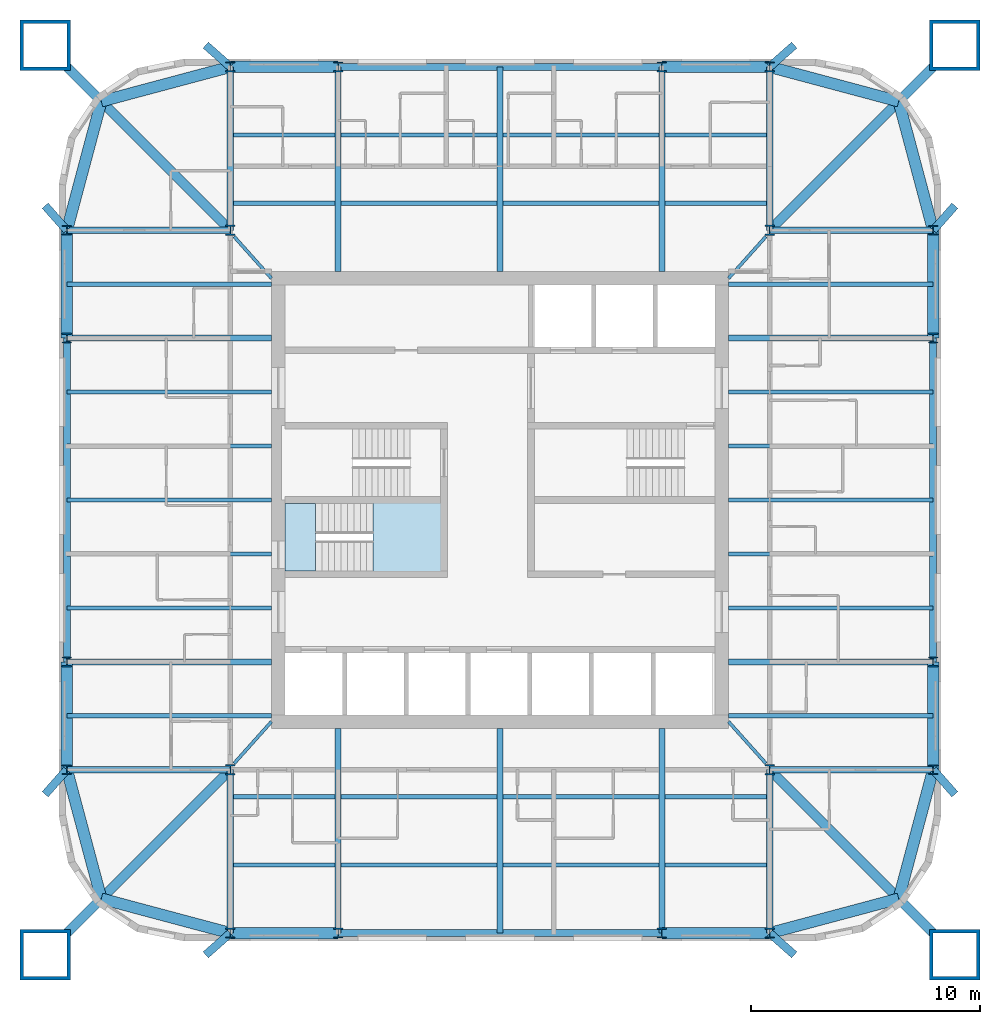
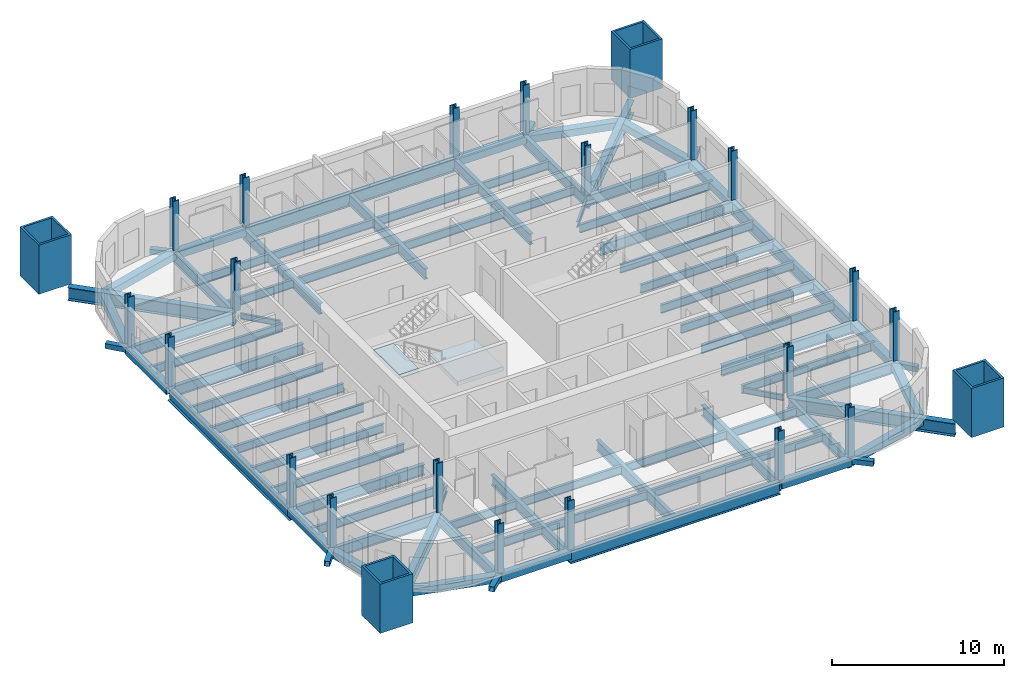
# One storey, part 1 of 9: 84 beams, 24 columns, 2 slabs, 1 element without a shape of its own.
"""IFC4 building model written with IfcOpenShell, lengths in metres."""

from ifc_helpers import new_model, si_unit, direction, frame, origin, origin_2d, place, context, subcontext, project, spatial, polyline, hollow_rectangle, i_section, outline, extrude, material, layer, layer_set, material_profile, profile_set, type_object, element, aggregate, save


model = new_model("IFC4")

# Units and contexts
model_context = context("Model", 3, precision=1e-05, world=origin(), true_north=direction((0.0, 1.0)))
body_context = subcontext(model_context, "Body", "Model", "MODEL_VIEW")
ifc_project = project(units=[si_unit("LENGTHUNIT", "METRE"), si_unit("AREAUNIT", "SQUARE_METRE"), si_unit("VOLUMEUNIT", "CUBIC_METRE"), si_unit("PLANEANGLEUNIT", "RADIAN"), si_unit("MASSUNIT", "GRAM", prefix="KILO")], contexts=[model_context])

# Site, building, storey
site_placement = place(None, origin())
site = spatial("IfcSite", under=ifc_project, at=site_placement, CompositionType="ELEMENT")
building_placement = place(site_placement, origin())
building = spatial("IfcBuilding", under=site, at=building_placement, Name="Turquesa Mirador Hotel Tower", CompositionType="ELEMENT")
storey_placement = place(building_placement, frame((0.0, 0.0, 172.300048828125)))
storey = spatial("IfcBuildingStorey", under=building, at=storey_placement, Name="L46", CompositionType="ELEMENT", Elevation=172.300048828125)

# Columns
ifc_material_1 = material(Name="Steel ASTM A992 Grade 50", Category="steel")
ifc_material_profile_1 = material_profile(ifc_material_1, i_section(OverallWidth=0.411376953125, OverallDepth=0.434326171875, WebThickness=0.035888671875, FlangeThickness=0.057373046875, at=origin_2d()), Name="W14X311")
ifc_profile_set_1 = profile_set([ifc_material_profile_1], Name="Steel ASTM A992 Grade 50")
column_type_1 = type_object("IfcColumnType", Name="COLUMN W14X311", PredefinedType="COLUMN", material=ifc_profile_set_1)
for number, where, z_axis, x_axis, name in (
    (1, (36.050048828125, 33.199951171875, 0.0), (0.0, 0.0, 1.0), (1.0, 0.0, 0.0), "COL-L46-P--18.95--11.80"),
    (2, (36.050048828125, 37.919921875, 0.0), (0.0, 0.0, 1.0), (1.0, 0.0, 0.0), "COL-L46-P--18.95--7.08"),
    (3, (36.050048828125, 52.080078125, 0.0), (0.0, 0.0, 1.0), (1.0, 0.0, 0.0), "COL-L46-P--18.95-+7.08"),
    (4, (36.050048828125, 56.800048828125, 0.0), (0.0, 0.0, 1.0), (1.0, 0.0, 0.0), "COL-L46-P--18.95-+11.80"),
    (5, (43.199951171875, 26.050048828125, 0.0), (0.0, 0.0, 1.0), (1.0, 0.0, 0.0), "COL-L46-P--11.80--18.95"),
    (6, (43.199951171875, 63.949951171875, 0.0), (0.0, 0.0, 1.0), (1.0, 0.0, 0.0), "COL-L46-P--11.80-+18.95"),
    (7, (47.919921875, 26.050048828125, 0.0), (0.0, 0.0, 1.0), (1.0, 0.0, 0.0), "COL-L46-P--7.08--18.95"),
    (8, (47.919921875, 63.949951171875, 0.0), (0.0, 0.0, 1.0), (1.0, 0.0, 0.0), "COL-L46-P--7.08-+18.95"),
    (9, (62.080078125, 26.050048828125, 0.0), (0.0, 0.0, 1.0), (1.0, 0.0, 0.0), "COL-L46-P-+7.08--18.95"),
    (10, (62.080078125, 63.949951171875, 0.0), (0.0, 0.0, 1.0), (1.0, 0.0, 0.0), "COL-L46-P-+7.08-+18.95"),
    (11, (66.800048828125, 26.050048828125, 0.0), (0.0, 0.0, 1.0), (1.0, 0.0, 0.0), "COL-L46-P-+11.80--18.95"),
    (12, (66.800048828125, 63.949951171875, 0.0), (0.0, 0.0, 1.0), (1.0, 0.0, 0.0), "COL-L46-P-+11.80-+18.95"),
    (13, (73.949951171875, 33.199951171875, 0.0), (0.0, 0.0, 1.0), (1.0, 0.0, 0.0), "COL-L46-P-+18.95--11.80"),
    (14, (73.949951171875, 37.919921875, 0.0), (0.0, 0.0, 1.0), (1.0, 0.0, 0.0), "COL-L46-P-+18.95--7.08"),
    (15, (73.949951171875, 52.080078125, 0.0), (0.0, 0.0, 1.0), (1.0, 0.0, 0.0), "COL-L46-P-+18.95-+7.08"),
    (16, (73.949951171875, 56.800048828125, 0.0), (0.0, 0.0, 1.0), (1.0, 0.0, 0.0), "COL-L46-P-+18.95-+11.80"),
):
    element("IfcColumn", number, at=place(storey_placement, frame(where, z_axis=z_axis, x_axis=x_axis)), inside=storey, type_object=column_type_1, Name=name, PredefinedType="COLUMN", context=body_context, shape_type="SweptSolid", body=[
        extrude(i_section(OverallWidth=0.411376953125, OverallDepth=0.434326171875, WebThickness=0.035888671875, FlangeThickness=0.057373046875, at=origin_2d()), origin(), (0.0, 0.0, 1.0), 3.5),
    ])
ifc_material_2 = material(Name="Steel ASTM A992 Grade 50", Category="steel")
ifc_material_profile_2 = material_profile(ifc_material_2, i_section(OverallWidth=0.421630859375, OverallDepth=0.46484375, WebThickness=0.044921875, FlangeThickness=0.072509765625, at=origin_2d()), Name="W14X398")
ifc_profile_set_2 = profile_set([ifc_material_profile_2], Name="Steel ASTM A992 Grade 50")
column_type_2 = type_object("IfcColumnType", Name="COLUMN W14X398", PredefinedType="COLUMN", material=ifc_profile_set_2)
for number, where, z_axis, x_axis, name in (
    (17, (43.199951171875, 33.199951171875, 0.0), (0.0, 0.0, 1.0), (1.0, 0.0, 0.0), "COL-L46-K--11.80--11.80"),
    (18, (43.199951171875, 56.800048828125, 0.0), (0.0, 0.0, 1.0), (1.0, 0.0, 0.0), "COL-L46-K--11.80-+11.80"),
    (19, (66.800048828125, 33.199951171875, 0.0), (0.0, 0.0, 1.0), (1.0, 0.0, 0.0), "COL-L46-K-+11.80--11.80"),
    (20, (66.800048828125, 56.800048828125, 0.0), (0.0, 0.0, 1.0), (1.0, 0.0, 0.0), "COL-L46-K-+11.80-+11.80"),
):
    element("IfcColumn", number, at=place(storey_placement, frame(where, z_axis=z_axis, x_axis=x_axis)), inside=storey, type_object=column_type_2, Name=name, PredefinedType="COLUMN", context=body_context, shape_type="SweptSolid", body=[
        extrude(i_section(OverallWidth=0.421630859375, OverallDepth=0.46484375, WebThickness=0.044921875, FlangeThickness=0.072509765625, at=origin_2d()), origin(), (0.0, 0.0, 1.0), 3.5),
    ])
ifc_material_3 = material(Name="Steel ASTM A514 Grade Q", Category="steel")
ifc_material_profile_3 = material_profile(ifc_material_3, hollow_rectangle(XDim=2.199951171875, YDim=2.199951171875, WallThickness=0.14990234375, at=origin_2d()), Name="BOX2200X2200X150")
ifc_profile_set_3 = profile_set([ifc_material_profile_3], Name="Steel ASTM A514 Grade Q")
column_type_3 = type_object("IfcColumnType", Name="MEGA COLUMN BOX2200X2200X150", PredefinedType="COLUMN", material=ifc_profile_set_3)
for number, where, z_axis, x_axis, name in (
    (21, (74.89990234375, 64.89990234375, 0.0), (0.0, 0.0, 1.0), (1.0, 0.0, 0.0), "Mega column M1"),
    (22, (35.10009765625, 64.89990234375, 0.0), (0.0, 0.0, 1.0), (1.0, 0.0, 0.0), "Mega column M2"),
    (23, (35.10009765625, 25.10009765625, 0.0), (0.0, 0.0, 1.0), (1.0, 0.0, 0.0), "Mega column M3"),
    (24, (74.89990234375, 25.10009765625, 0.0), (0.0, 0.0, 1.0), (1.0, 0.0, 0.0), "Mega column M4"),
):
    element("IfcColumn", number, at=place(storey_placement, frame(where, z_axis=z_axis, x_axis=x_axis)), inside=storey, type_object=column_type_3, Name=name, PredefinedType="COLUMN", context=body_context, shape_type="SweptSolid", body=[
        extrude(hollow_rectangle(XDim=2.199951171875, YDim=2.199951171875, WallThickness=0.14990234375, at=origin_2d()), origin(), (0.0, 0.0, 1.0), 3.5),
    ])

# Beams
ifc_material_4 = material(Name="Steel ASTM A572 Grade 50", Category="steel")
ifc_material_profile_4 = material_profile(ifc_material_4, hollow_rectangle(XDim=0.5, YDim=0.5, WallThickness=0.01611328125, at=origin_2d()), Name="BOX500X500X16")
ifc_profile_set_4 = profile_set([ifc_material_profile_4], Name="Steel ASTM A572 Grade 50")
beam_type_1 = type_object("IfcBeamType", Name="BEAM BOX500X500X16", PredefinedType="BEAM", material=ifc_profile_set_4)
for number, where, z_axis, x_axis, name in (
    (25, (43.199951171875, 63.949951171875, -0.420166015625), (1.0, 0.0, 0.0), (0.0, 1.0, 0.0), "EB-L46-N-L"),
    (26, (62.080078125, 63.949951171875, -0.420166015625), (1.0, 0.0, 0.0), (0.0, 1.0, 0.0), "EB-L46-N-R"),
    (27, (43.199951171875, 26.050048828125, -0.420166015625), (1.0, 0.0, 0.0), (0.0, 1.0, 0.0), "EB-L46-S-L"),
    (28, (62.080078125, 26.050048828125, -0.420166015625), (1.0, 0.0, 0.0), (0.0, 1.0, 0.0), "EB-L46-S-R"),
    (29, (73.949951171875, 33.199951171875, -0.420166015625), (0.0, 1.0, 0.0), (-1.0, 0.0, 0.0), "EB-L46-E-L"),
    (30, (73.949951171875, 52.080078125, -0.420166015625), (0.0, 1.0, 0.0), (-1.0, 0.0, 0.0), "EB-L46-E-R"),
    (31, (36.050048828125, 33.199951171875, -0.420166015625), (0.0, 1.0, 0.0), (-1.0, 0.0, 0.0), "EB-L46-W-L"),
    (32, (36.050048828125, 52.080078125, -0.420166015625), (0.0, 1.0, 0.0), (-1.0, 0.0, 0.0), "EB-L46-W-R"),
):
    element("IfcBeam", number, at=place(storey_placement, frame(where, z_axis=z_axis, x_axis=x_axis)), inside=storey, type_object=beam_type_1, Name=name, PredefinedType="BEAM", context=body_context, shape_type="SweptSolid", body=[
        extrude(hollow_rectangle(XDim=0.5, YDim=0.5, WallThickness=0.01611328125, at=origin_2d()), origin(), (0.0, 0.0, 1.0), 4.719970703125),
    ])
for number, where, z_axis, x_axis, name in (
    (33, (73.949951171875, 56.800048828125, -0.420166015625), (-0.258281892145, 0.966069595935, 0.0), (-0.966069595935, -0.258281892145, 0.0), "KE-L46-1-0"),
    (34, (72.441650390625, 62.441650390625, -0.420166015625), (-0.966069595935, 0.258281892145, 0.0), (-0.258281892145, -0.966069595935, 0.0), "KE-L46-1-1"),
    (35, (36.050048828125, 56.800048828125, -0.420166015625), (0.258281892145, 0.966069595935, 0.0), (-0.966069595935, 0.258281892145, 0.0), "KE-L46-2-0"),
    (36, (37.558349609375, 62.441650390625, -0.420166015625), (0.966069595935, 0.258281892145, 0.0), (-0.258281892145, 0.966069595935, 0.0), "KE-L46-2-1"),
    (37, (36.050048828125, 33.199951171875, -0.420166015625), (0.258281892145, -0.966069595935, 0.0), (0.966069595935, 0.258281892145, 0.0), "KE-L46-3-0"),
    (38, (37.558349609375, 27.558349609375, -0.420166015625), (0.966069595935, -0.258281892145, 0.0), (0.258281892145, 0.966069595935, 0.0), "KE-L46-3-1"),
    (39, (73.949951171875, 33.199951171875, -0.420166015625), (-0.258281892145, -0.966069595935, 0.0), (0.966069595935, -0.258281892145, 0.0), "KE-L46-4-0"),
    (40, (72.441650390625, 27.558349609375, -0.420166015625), (-0.966069595935, -0.258281892145, 0.0), (0.258281892145, -0.966069595935, 0.0), "KE-L46-4-1"),
):
    element("IfcBeam", number, at=place(storey_placement, frame(where, z_axis=z_axis, x_axis=x_axis)), inside=storey, type_object=beam_type_1, Name=name, PredefinedType="BEAM", context=body_context, shape_type="SweptSolid", body=[
        extrude(hollow_rectangle(XDim=0.5, YDim=0.5, WallThickness=0.01611328125, at=origin_2d()), origin(), (0.0, 0.0, 1.0), 5.83984375),
    ])
ifc_material_5 = material(Name="Steel ASTM A992 Grade 50", Category="steel")
ifc_material_profile_5 = material_profile(ifc_material_5, i_section(OverallWidth=0.140380859375, OverallDepth=0.40380859375, WebThickness=0.007080078125, FlangeThickness=0.01123046875, at=origin_2d()), Name="W16X31")
ifc_profile_set_5 = profile_set([ifc_material_profile_5], Name="Steel ASTM A992 Grade 50")
beam_type_2 = type_object("IfcBeamType", Name="BEAM W16X31", PredefinedType="BEAM", material=ifc_profile_set_5)
for number, where, z_axis, x_axis, name in (
    (41, (66.634765625, 56.527099609375, -0.3720703125), (-0.666783216266, -0.745251730964, 0.0), (0.745251730964, -0.666783216266, 0.0), "KT-L46-1"),
    (42, (43.365234375, 56.527099609375, -0.3720703125), (0.666783216266, -0.745251730964, 0.0), (0.745251730964, 0.666783216266, 0.0), "KT-L46-2"),
    (43, (43.365234375, 33.472900390625, -0.3720703125), (0.666783216266, 0.745251730964, 0.0), (-0.745251730964, 0.666783216266, 0.0), "KT-L46-3"),
    (44, (66.634765625, 33.472900390625, -0.3720703125), (-0.666783216266, 0.745251730964, 0.0), (-0.745251730964, -0.666783216266, 0.0), "KT-L46-4"),
):
    element("IfcBeam", number, at=place(storey_placement, frame(where, z_axis=z_axis, x_axis=x_axis)), inside=storey, type_object=beam_type_2, Name=name, PredefinedType="BEAM", context=body_context, shape_type="SweptSolid", body=[
        extrude(i_section(OverallWidth=0.140380859375, OverallDepth=0.40380859375, WebThickness=0.007080078125, FlangeThickness=0.01123046875, at=origin_2d()), origin(), (0.0, 0.0, 1.0), 2.45166015625),
    ])
ifc_material_6 = material(Name="Steel ASTM A992 Grade 50", Category="steel")
ifc_material_profile_6 = material_profile(ifc_material_6, i_section(OverallWidth=0.177978515625, OverallDepth=0.599365234375, WebThickness=0.010009765625, FlangeThickness=0.012939453125, at=origin_2d()), Name="W24X55")
ifc_profile_set_6 = profile_set([ifc_material_profile_6], Name="Steel ASTM A992 Grade 50")
beam_type_3 = type_object("IfcBeamType", Name="BEAM W24X55", PredefinedType="BEAM", material=ifc_profile_set_6)
beam_1_placement = place(storey_placement, frame((43.333251953125, 57.98291015625, -0.4697265625), z_axis=(1.0, 0.0, 0.0), x_axis=(0.0, 1.0, 0.0)))
element("IfcBeam", 45, at=beam_1_placement, inside=storey, type_object=beam_type_3, Name="IB-L46-N-1-0", PredefinedType="BEAM", context=body_context, shape_type="SweptSolid", body=[
    extrude(i_section(OverallWidth=0.177978515625, OverallDepth=0.599365234375, WebThickness=0.010009765625, FlangeThickness=0.012939453125, at=origin_2d()), origin(), (0.0, 0.0, 1.0), 4.453369140625),
])
for number, where, z_axis, x_axis, name in (
    (46, (48.053466796875, 57.98291015625, -0.4697265625), (1.0, 0.0, 0.0), (0.0, 1.0, 0.0), "IB-L46-N-1-1"),
    (47, (55.13330078125, 57.98291015625, -0.4697265625), (1.0, 0.0, 0.0), (0.0, 1.0, 0.0), "IB-L46-N-1-2"),
):
    element("IfcBeam", number, at=place(storey_placement, frame(where, z_axis=z_axis, x_axis=x_axis)), inside=storey, type_object=beam_type_3, Name=name, PredefinedType="BEAM", context=body_context, shape_type="SweptSolid", body=[
        extrude(i_section(OverallWidth=0.177978515625, OverallDepth=0.599365234375, WebThickness=0.010009765625, FlangeThickness=0.012939453125, at=origin_2d()), origin(), (0.0, 0.0, 1.0), 6.813232421875),
    ])
for number, where, z_axis, x_axis, name in (
    (48, (62.21337890625, 57.98291015625, -0.4697265625), (1.0, 0.0, 0.0), (0.0, 1.0, 0.0), "IB-L46-N-1-3"),
    (49, (43.333251953125, 60.967041015625, -0.4697265625), (1.0, 0.0, 0.0), (0.0, 1.0, 0.0), "IB-L46-N-2-0"),
):
    element("IfcBeam", number, at=place(storey_placement, frame(where, z_axis=z_axis, x_axis=x_axis)), inside=storey, type_object=beam_type_3, Name=name, PredefinedType="BEAM", context=body_context, shape_type="SweptSolid", body=[
        extrude(i_section(OverallWidth=0.177978515625, OverallDepth=0.599365234375, WebThickness=0.010009765625, FlangeThickness=0.012939453125, at=origin_2d()), origin(), (0.0, 0.0, 1.0), 4.453369140625),
    ])
for number, where, z_axis, x_axis, name in (
    (50, (48.053466796875, 60.967041015625, -0.4697265625), (1.0, 0.0, 0.0), (0.0, 1.0, 0.0), "IB-L46-N-2-1"),
    (51, (55.13330078125, 60.967041015625, -0.4697265625), (1.0, 0.0, 0.0), (0.0, 1.0, 0.0), "IB-L46-N-2-2"),
):
    element("IfcBeam", number, at=place(storey_placement, frame(where, z_axis=z_axis, x_axis=x_axis)), inside=storey, type_object=beam_type_3, Name=name, PredefinedType="BEAM", context=body_context, shape_type="SweptSolid", body=[
        extrude(i_section(OverallWidth=0.177978515625, OverallDepth=0.599365234375, WebThickness=0.010009765625, FlangeThickness=0.012939453125, at=origin_2d()), origin(), (0.0, 0.0, 1.0), 6.813232421875),
    ])
for number, where, z_axis, x_axis, name in (
    (52, (62.21337890625, 60.967041015625, -0.4697265625), (1.0, 0.0, 0.0), (0.0, 1.0, 0.0), "IB-L46-N-2-3"),
    (53, (43.333251953125, 32.01708984375, -0.4697265625), (1.0, 0.0, 0.0), (0.0, 1.0, 0.0), "IB-L46-S-1-0"),
):
    element("IfcBeam", number, at=place(storey_placement, frame(where, z_axis=z_axis, x_axis=x_axis)), inside=storey, type_object=beam_type_3, Name=name, PredefinedType="BEAM", context=body_context, shape_type="SweptSolid", body=[
        extrude(i_section(OverallWidth=0.177978515625, OverallDepth=0.599365234375, WebThickness=0.010009765625, FlangeThickness=0.012939453125, at=origin_2d()), origin(), (0.0, 0.0, 1.0), 4.453369140625),
    ])
for number, where, z_axis, x_axis, name in (
    (54, (48.053466796875, 32.01708984375, -0.4697265625), (1.0, 0.0, 0.0), (0.0, 1.0, 0.0), "IB-L46-S-1-1"),
    (55, (55.13330078125, 32.01708984375, -0.4697265625), (1.0, 0.0, 0.0), (0.0, 1.0, 0.0), "IB-L46-S-1-2"),
):
    element("IfcBeam", number, at=place(storey_placement, frame(where, z_axis=z_axis, x_axis=x_axis)), inside=storey, type_object=beam_type_3, Name=name, PredefinedType="BEAM", context=body_context, shape_type="SweptSolid", body=[
        extrude(i_section(OverallWidth=0.177978515625, OverallDepth=0.599365234375, WebThickness=0.010009765625, FlangeThickness=0.012939453125, at=origin_2d()), origin(), (0.0, 0.0, 1.0), 6.813232421875),
    ])
for number, where, z_axis, x_axis, name in (
    (56, (62.21337890625, 32.01708984375, -0.4697265625), (1.0, 0.0, 0.0), (0.0, 1.0, 0.0), "IB-L46-S-1-3"),
    (57, (43.333251953125, 29.032958984375, -0.4697265625), (1.0, 0.0, 0.0), (0.0, 1.0, 0.0), "IB-L46-S-2-0"),
):
    element("IfcBeam", number, at=place(storey_placement, frame(where, z_axis=z_axis, x_axis=x_axis)), inside=storey, type_object=beam_type_3, Name=name, PredefinedType="BEAM", context=body_context, shape_type="SweptSolid", body=[
        extrude(i_section(OverallWidth=0.177978515625, OverallDepth=0.599365234375, WebThickness=0.010009765625, FlangeThickness=0.012939453125, at=origin_2d()), origin(), (0.0, 0.0, 1.0), 4.453369140625),
    ])
for number, where, z_axis, x_axis, name in (
    (58, (48.053466796875, 29.032958984375, -0.4697265625), (1.0, 0.0, 0.0), (0.0, 1.0, 0.0), "IB-L46-S-2-1"),
    (59, (55.13330078125, 29.032958984375, -0.4697265625), (1.0, 0.0, 0.0), (0.0, 1.0, 0.0), "IB-L46-S-2-2"),
):
    element("IfcBeam", number, at=place(storey_placement, frame(where, z_axis=z_axis, x_axis=x_axis)), inside=storey, type_object=beam_type_3, Name=name, PredefinedType="BEAM", context=body_context, shape_type="SweptSolid", body=[
        extrude(i_section(OverallWidth=0.177978515625, OverallDepth=0.599365234375, WebThickness=0.010009765625, FlangeThickness=0.012939453125, at=origin_2d()), origin(), (0.0, 0.0, 1.0), 6.813232421875),
    ])
beam_2_placement = place(storey_placement, frame((62.21337890625, 29.032958984375, -0.4697265625), z_axis=(1.0, 0.0, 0.0), x_axis=(0.0, 1.0, 0.0)))
element("IfcBeam", 60, at=beam_2_placement, inside=storey, type_object=beam_type_3, Name="IB-L46-S-2-3", PredefinedType="BEAM", context=body_context, shape_type="SweptSolid", body=[
    extrude(i_section(OverallWidth=0.177978515625, OverallDepth=0.599365234375, WebThickness=0.010009765625, FlangeThickness=0.012939453125, at=origin_2d()), origin(), (0.0, 0.0, 1.0), 4.453369140625),
])
for number, where, z_axis, x_axis, name in (
    (61, (73.949951171875, 35.56005859375, -0.4697265625), (-1.0, 0.0, 0.0), (0.0, -1.0, 0.0), "BM-L46-E--9.44"),
    (62, (73.949951171875, 40.280029296875, -0.4697265625), (-1.0, 0.0, 0.0), (0.0, -1.0, 0.0), "BM-L46-E--4.72"),
    (63, (73.949951171875, 42.639892578125, -0.4697265625), (-1.0, 0.0, 0.0), (0.0, -1.0, 0.0), "BM-L46-E--2.36"),
    (64, (73.949951171875, 45.0, -0.4697265625), (-1.0, 0.0, 0.0), (0.0, -1.0, 0.0), "BM-L46-E-+0.00"),
    (65, (73.949951171875, 47.360107421875, -0.4697265625), (-1.0, 0.0, 0.0), (0.0, -1.0, 0.0), "BM-L46-E-+2.36"),
    (66, (73.949951171875, 49.719970703125, -0.4697265625), (-1.0, 0.0, 0.0), (0.0, -1.0, 0.0), "BM-L46-E-+4.72"),
    (67, (73.949951171875, 54.43994140625, -0.4697265625), (-1.0, 0.0, 0.0), (0.0, -1.0, 0.0), "BM-L46-E-+9.44"),
    (68, (36.050048828125, 35.56005859375, -0.4697265625), (1.0, 0.0, 0.0), (0.0, 1.0, 0.0), "BM-L46-W--9.44"),
    (69, (36.050048828125, 40.280029296875, -0.4697265625), (1.0, 0.0, 0.0), (0.0, 1.0, 0.0), "BM-L46-W--4.72"),
    (70, (36.050048828125, 42.639892578125, -0.4697265625), (1.0, 0.0, 0.0), (0.0, 1.0, 0.0), "BM-L46-W--2.36"),
    (71, (36.050048828125, 45.0, -0.4697265625), (1.0, 0.0, 0.0), (0.0, 1.0, 0.0), "BM-L46-W-+0.00"),
    (72, (36.050048828125, 47.360107421875, -0.4697265625), (1.0, 0.0, 0.0), (0.0, 1.0, 0.0), "BM-L46-W-+2.36"),
    (73, (36.050048828125, 49.719970703125, -0.4697265625), (1.0, 0.0, 0.0), (0.0, 1.0, 0.0), "BM-L46-W-+4.72"),
    (74, (36.050048828125, 54.43994140625, -0.4697265625), (1.0, 0.0, 0.0), (0.0, 1.0, 0.0), "BM-L46-W-+9.44"),
):
    element("IfcBeam", number, at=place(storey_placement, frame(where, z_axis=z_axis, x_axis=x_axis)), inside=storey, type_object=beam_type_3, Name=name, PredefinedType="BEAM", context=body_context, shape_type="SweptSolid", body=[
        extrude(i_section(OverallWidth=0.177978515625, OverallDepth=0.599365234375, WebThickness=0.010009765625, FlangeThickness=0.012939453125, at=origin_2d()), origin(), (0.0, 0.0, 1.0), 8.949951171875),
    ])
ifc_material_7 = material(Name="Steel ASTM A992 Grade 50", Category="steel")
ifc_material_profile_7 = material_profile(ifc_material_7, i_section(OverallWidth=0.2666015625, OverallDepth=0.7568359375, WebThickness=0.013916015625, FlangeThickness=0.019287109375, at=origin_2d()), Name="W30X108")
ifc_profile_set_7 = profile_set([ifc_material_profile_7], Name="Steel ASTM A992 Grade 50")
beam_type_4 = type_object("IfcBeamType", Name="BEAM W30X108", PredefinedType="BEAM", material=ifc_profile_set_7)
for number, where, z_axis, x_axis, name in (
    (75, (47.919921875, 63.949951171875, -0.548583984375), (0.0, -1.0, 0.0), (1.0, 0.0, 0.0), "GD-L46-N--7.08"),
    (76, (62.080078125, 63.949951171875, -0.548583984375), (0.0, -1.0, 0.0), (1.0, 0.0, 0.0), "GD-L46-N-+7.08"),
    (77, (55.0, 63.949951171875, -0.548583984375), (0.0, -1.0, 0.0), (1.0, 0.0, 0.0), "GD-L46-N-+0.00"),
):
    element("IfcBeam", number, at=place(storey_placement, frame(where, z_axis=z_axis, x_axis=x_axis)), inside=storey, type_object=beam_type_4, Name=name, PredefinedType="BEAM", context=body_context, shape_type="SweptSolid", body=[
        extrude(i_section(OverallWidth=0.2666015625, OverallDepth=0.7568359375, WebThickness=0.013916015625, FlangeThickness=0.019287109375, at=origin_2d()), origin(), (0.0, 0.0, 1.0), 8.949951171875),
    ])
for number, where, z_axis, x_axis, name in (
    (78, (43.199951171875, 63.949951171875, -0.548583984375), (0.0, -1.0, 0.0), (1.0, 0.0, 0.0), "GK-L46-N--11.80"),
    (79, (66.800048828125, 63.949951171875, -0.548583984375), (0.0, -1.0, 0.0), (1.0, 0.0, 0.0), "GK-L46-N-+11.80"),
):
    element("IfcBeam", number, at=place(storey_placement, frame(where, z_axis=z_axis, x_axis=x_axis)), inside=storey, type_object=beam_type_4, Name=name, PredefinedType="BEAM", context=body_context, shape_type="SweptSolid", body=[
        extrude(i_section(OverallWidth=0.2666015625, OverallDepth=0.7568359375, WebThickness=0.013916015625, FlangeThickness=0.019287109375, at=origin_2d()), origin(), (0.0, 0.0, 1.0), 7.14990234375),
    ])
for number, where, z_axis, x_axis, name in (
    (80, (47.919921875, 26.050048828125, -0.548583984375), (0.0, 1.0, 0.0), (-1.0, 0.0, 0.0), "GD-L46-S--7.08"),
    (81, (62.080078125, 26.050048828125, -0.548583984375), (0.0, 1.0, 0.0), (-1.0, 0.0, 0.0), "GD-L46-S-+7.08"),
    (82, (55.0, 26.050048828125, -0.548583984375), (0.0, 1.0, 0.0), (-1.0, 0.0, 0.0), "GD-L46-S-+0.00"),
):
    element("IfcBeam", number, at=place(storey_placement, frame(where, z_axis=z_axis, x_axis=x_axis)), inside=storey, type_object=beam_type_4, Name=name, PredefinedType="BEAM", context=body_context, shape_type="SweptSolid", body=[
        extrude(i_section(OverallWidth=0.2666015625, OverallDepth=0.7568359375, WebThickness=0.013916015625, FlangeThickness=0.019287109375, at=origin_2d()), origin(), (0.0, 0.0, 1.0), 8.949951171875),
    ])
for number, where, z_axis, x_axis, name in (
    (83, (43.199951171875, 26.050048828125, -0.548583984375), (0.0, 1.0, 0.0), (-1.0, 0.0, 0.0), "GK-L46-S--11.80"),
    (84, (66.800048828125, 26.050048828125, -0.548583984375), (0.0, 1.0, 0.0), (-1.0, 0.0, 0.0), "GK-L46-S-+11.80"),
):
    element("IfcBeam", number, at=place(storey_placement, frame(where, z_axis=z_axis, x_axis=x_axis)), inside=storey, type_object=beam_type_4, Name=name, PredefinedType="BEAM", context=body_context, shape_type="SweptSolid", body=[
        extrude(i_section(OverallWidth=0.2666015625, OverallDepth=0.7568359375, WebThickness=0.013916015625, FlangeThickness=0.019287109375, at=origin_2d()), origin(), (0.0, 0.0, 1.0), 7.14990234375),
    ])
for number, where, z_axis, x_axis, name in (
    (85, (73.949951171875, 37.919921875, -0.548583984375), (-1.0, 0.0, 0.0), (0.0, -1.0, 0.0), "GD-L46-E--7.08"),
    (86, (73.949951171875, 52.080078125, -0.548583984375), (-1.0, 0.0, 0.0), (0.0, -1.0, 0.0), "GD-L46-E-+7.08"),
):
    element("IfcBeam", number, at=place(storey_placement, frame(where, z_axis=z_axis, x_axis=x_axis)), inside=storey, type_object=beam_type_4, Name=name, PredefinedType="BEAM", context=body_context, shape_type="SweptSolid", body=[
        extrude(i_section(OverallWidth=0.2666015625, OverallDepth=0.7568359375, WebThickness=0.013916015625, FlangeThickness=0.019287109375, at=origin_2d()), origin(), (0.0, 0.0, 1.0), 8.949951171875),
    ])
for number, where, z_axis, x_axis, name in (
    (87, (73.949951171875, 33.199951171875, -0.548583984375), (-1.0, 0.0, 0.0), (0.0, -1.0, 0.0), "GK-L46-E--11.80"),
    (88, (73.949951171875, 56.800048828125, -0.548583984375), (-1.0, 0.0, 0.0), (0.0, -1.0, 0.0), "GK-L46-E-+11.80"),
):
    element("IfcBeam", number, at=place(storey_placement, frame(where, z_axis=z_axis, x_axis=x_axis)), inside=storey, type_object=beam_type_4, Name=name, PredefinedType="BEAM", context=body_context, shape_type="SweptSolid", body=[
        extrude(i_section(OverallWidth=0.2666015625, OverallDepth=0.7568359375, WebThickness=0.013916015625, FlangeThickness=0.019287109375, at=origin_2d()), origin(), (0.0, 0.0, 1.0), 7.14990234375),
    ])
for number, where, z_axis, x_axis, name in (
    (89, (36.050048828125, 37.919921875, -0.548583984375), (1.0, 0.0, 0.0), (0.0, 1.0, 0.0), "GD-L46-W--7.08"),
    (90, (36.050048828125, 52.080078125, -0.548583984375), (1.0, 0.0, 0.0), (0.0, 1.0, 0.0), "GD-L46-W-+7.08"),
):
    element("IfcBeam", number, at=place(storey_placement, frame(where, z_axis=z_axis, x_axis=x_axis)), inside=storey, type_object=beam_type_4, Name=name, PredefinedType="BEAM", context=body_context, shape_type="SweptSolid", body=[
        extrude(i_section(OverallWidth=0.2666015625, OverallDepth=0.7568359375, WebThickness=0.013916015625, FlangeThickness=0.019287109375, at=origin_2d()), origin(), (0.0, 0.0, 1.0), 8.949951171875),
    ])
for number, where, z_axis, x_axis, name in (
    (91, (36.050048828125, 33.199951171875, -0.548583984375), (1.0, 0.0, 0.0), (0.0, 1.0, 0.0), "GK-L46-W--11.80"),
    (92, (36.050048828125, 56.800048828125, -0.548583984375), (1.0, 0.0, 0.0), (0.0, 1.0, 0.0), "GK-L46-W-+11.80"),
):
    element("IfcBeam", number, at=place(storey_placement, frame(where, z_axis=z_axis, x_axis=x_axis)), inside=storey, type_object=beam_type_4, Name=name, PredefinedType="BEAM", context=body_context, shape_type="SweptSolid", body=[
        extrude(i_section(OverallWidth=0.2666015625, OverallDepth=0.7568359375, WebThickness=0.013916015625, FlangeThickness=0.019287109375, at=origin_2d()), origin(), (0.0, 0.0, 1.0), 7.14990234375),
    ])
ifc_material_8 = material(Name="Steel ASTM A992 Grade 50", Category="steel")
ifc_material_profile_8 = material_profile(ifc_material_8, i_section(OverallWidth=0.3046875, OverallDepth=0.911865234375, WebThickness=0.015869140625, FlangeThickness=0.02392578125, at=origin_2d()), Name="W36X150")
ifc_profile_set_8 = profile_set([ifc_material_profile_8], Name="Steel ASTM A992 Grade 50")
beam_type_5 = type_object("IfcBeamType", Name="BEAM W36X150", PredefinedType="BEAM", material=ifc_profile_set_8)
for number, where, z_axis, x_axis, name in (
    (93, (47.919921875, 63.949951171875, -0.6259765625), (1.0, 0.0, 0.0), (0.0, 1.0, 0.0), "EB-L46-N-C"),
    (94, (47.919921875, 26.050048828125, -0.6259765625), (1.0, 0.0, 0.0), (0.0, 1.0, 0.0), "EB-L46-S-C"),
    (95, (73.949951171875, 37.919921875, -0.6259765625), (0.0, 1.0, 0.0), (-1.0, 0.0, 0.0), "EB-L46-E-C"),
    (96, (36.050048828125, 37.919921875, -0.6259765625), (0.0, 1.0, 0.0), (-1.0, 0.0, 0.0), "EB-L46-W-C"),
):
    element("IfcBeam", number, at=place(storey_placement, frame(where, z_axis=z_axis, x_axis=x_axis)), inside=storey, type_object=beam_type_5, Name=name, PredefinedType="BEAM", context=body_context, shape_type="SweptSolid", body=[
        extrude(i_section(OverallWidth=0.3046875, OverallDepth=0.911865234375, WebThickness=0.015869140625, FlangeThickness=0.02392578125, at=origin_2d()), origin(), (0.0, 0.0, 1.0), 14.16015625),
    ])
ifc_material_9 = material(Name="Steel ASTM A992 Grade 50", Category="steel")
ifc_material_profile_9 = material_profile(ifc_material_9, i_section(OverallWidth=0.419189453125, OverallDepth=0.927001953125, WebThickness=0.019287109375, FlangeThickness=0.031982421875, at=origin_2d()), Name="W36X231")
ifc_profile_set_9 = profile_set([ifc_material_profile_9], Name="Steel ASTM A992 Grade 50")
beam_type_6 = type_object("IfcBeamType", Name="BEAM W36X231", PredefinedType="BEAM", material=ifc_profile_set_9)
for number, where, z_axis, x_axis, name in (
    (97, (66.800048828125, 56.800048828125, -0.633544921875), (0.707106781187, 0.707106781187, 0.0), (-0.707106781187, 0.707106781187, 0.0), "KD-L46-1"),
    (98, (43.199951171875, 56.800048828125, -0.633544921875), (-0.707106781187, 0.707106781187, 0.0), (-0.707106781187, -0.707106781187, 0.0), "KD-L46-2"),
    (99, (43.199951171875, 33.199951171875, -0.633544921875), (-0.707106781187, -0.707106781187, 0.0), (0.707106781187, -0.707106781187, 0.0), "KD-L46-3"),
    (100, (66.800048828125, 33.199951171875, -0.633544921875), (0.707106781187, -0.707106781187, 0.0), (0.707106781187, 0.707106781187, 0.0), "KD-L46-4"),
):
    element("IfcBeam", number, at=place(storey_placement, frame(where, z_axis=z_axis, x_axis=x_axis)), inside=storey, type_object=beam_type_6, Name=name, PredefinedType="BEAM", context=body_context, shape_type="SweptSolid", body=[
        extrude(i_section(OverallWidth=0.419189453125, OverallDepth=0.927001953125, WebThickness=0.019287109375, FlangeThickness=0.031982421875, at=origin_2d()), origin(), (0.0, 0.0, 1.0), 10.080322265625),
    ])
ifc_material_10 = material(Name="Steel ASTM A500 Grade C", Category="steel")
ifc_material_profile_10 = material_profile(ifc_material_10, hollow_rectangle(XDim=0.355712890625, YDim=0.355712890625, WallThickness=0.0146484375, at=origin_2d()), Name="HSS14X14X5/8")
ifc_profile_set_10 = profile_set([ifc_material_profile_10], Name="Steel ASTM A500 Grade C")
beam_type_7 = type_object("IfcBeamType", Name="BRACE STRUT HSS14X14X5/8", PredefinedType="BEAM", material=ifc_profile_set_10)
for number, where, z_axis, x_axis, name in (
    (101, (42.12353515625, 64.89990234375, -0.347900390625), (0.749778299532, -0.661689127575, 0.0), (0.661689127575, 0.749778299532, 0.0), "Brace strut"),
    (102, (67.87646484375, 64.89990234375, -0.347900390625), (-0.749778299532, -0.661689127575, 0.0), (0.661689127575, -0.749778299532, 0.0), "Brace strut"),
    (103, (42.12353515625, 25.10009765625, -0.347900390625), (0.749778299532, 0.661689127575, 0.0), (-0.661689127575, 0.749778299532, 0.0), "Brace strut"),
    (104, (67.87646484375, 25.10009765625, -0.347900390625), (-0.749778299532, 0.661689127575, 0.0), (-0.661689127575, -0.749778299532, 0.0), "Brace strut"),
    (105, (74.89990234375, 32.12353515625, -0.347900390625), (-0.661689127575, 0.749778299532, 0.0), (-0.749778299532, -0.661689127575, 0.0), "Brace strut"),
    (106, (74.89990234375, 57.87646484375, -0.347900390625), (-0.661689127575, -0.749778299532, 0.0), (0.749778299532, -0.661689127575, 0.0), "Brace strut"),
    (107, (35.10009765625, 32.12353515625, -0.347900390625), (0.661689127575, 0.749778299532, 0.0), (-0.749778299532, 0.661689127575, 0.0), "Brace strut"),
    (108, (35.10009765625, 57.87646484375, -0.347900390625), (0.661689127575, -0.749778299532, 0.0), (0.749778299532, 0.661689127575, 0.0), "Brace strut"),
):
    element("IfcBeam", number, at=place(storey_placement, frame(where, z_axis=z_axis, x_axis=x_axis)), inside=storey, type_object=beam_type_7, Name=name, PredefinedType="BEAM", context=body_context, shape_type="SweptSolid", body=[
        extrude(hollow_rectangle(XDim=0.355712890625, YDim=0.355712890625, WallThickness=0.0146484375, at=origin_2d()), origin(), (0.0, 0.0, 1.0), 1.435546875),
    ])

# Stair, slabs
ifc_material_11 = material(Name="Concrete C35/45", Category="concrete")
stair_type = type_object("IfcStairType", Name="ESCAPE STAIR CORE", PredefinedType="HALF_TURN_STAIR", material=ifc_material_11)
stair_placement = place(storey_placement, origin())
stair = element("IfcStair", 109, at=stair_placement, inside=storey, type_object=stair_type, Name="Stair ST2 L46 to L47", PredefinedType="HALF_TURN_STAIR")
ifc_material_12 = material(Name="Concrete C35/45", Category="concrete")
ifc_layer = layer(ifc_material_12, 0.300048828125)
ifc_layer_set = layer_set([ifc_layer], Name="STAIR LANDING 300")
slab_type = type_object("IfcSlabType", Name="STAIR LANDING 300", PredefinedType="LANDING", material=ifc_layer_set)
slab_1_placement = place(storey_placement, frame((0.0, 0.0, 1.449951171875)))
slab_1 = element("IfcSlab", 110, at=slab_1_placement, type_object=slab_type, Name="ST2 landing 1", PredefinedType="LANDING", context=body_context, shape_type="SweptSolid", body=[
    extrude(outline(polyline([(52.550048828125, 45.0), (49.449951171875, 45.0), (49.449951171875, 41.75), (52.550048828125, 41.75), (52.550048828125, 45.0)])), origin(), (0.0, 0.0, 1.0), 0.300048828125),
])
slab_2_placement = place(storey_placement, frame((0.0, 0.0, 3.199951171875)))
slab_2 = element("IfcSlab", 111, at=slab_2_placement, type_object=slab_type, Name="ST2 landing 2", PredefinedType="LANDING", context=body_context, shape_type="SweptSolid", body=[
    extrude(outline(polyline([(46.929931640625, 44.85009765625), (45.60009765625, 44.85009765625), (45.60009765625, 41.89990234375), (46.929931640625, 41.89990234375), (46.929931640625, 44.85009765625)])), origin(), (0.0, 0.0, 1.0), 0.300048828125),
])
aggregate(stair, [slab_1, slab_2])

save(model, "model.ifc")
